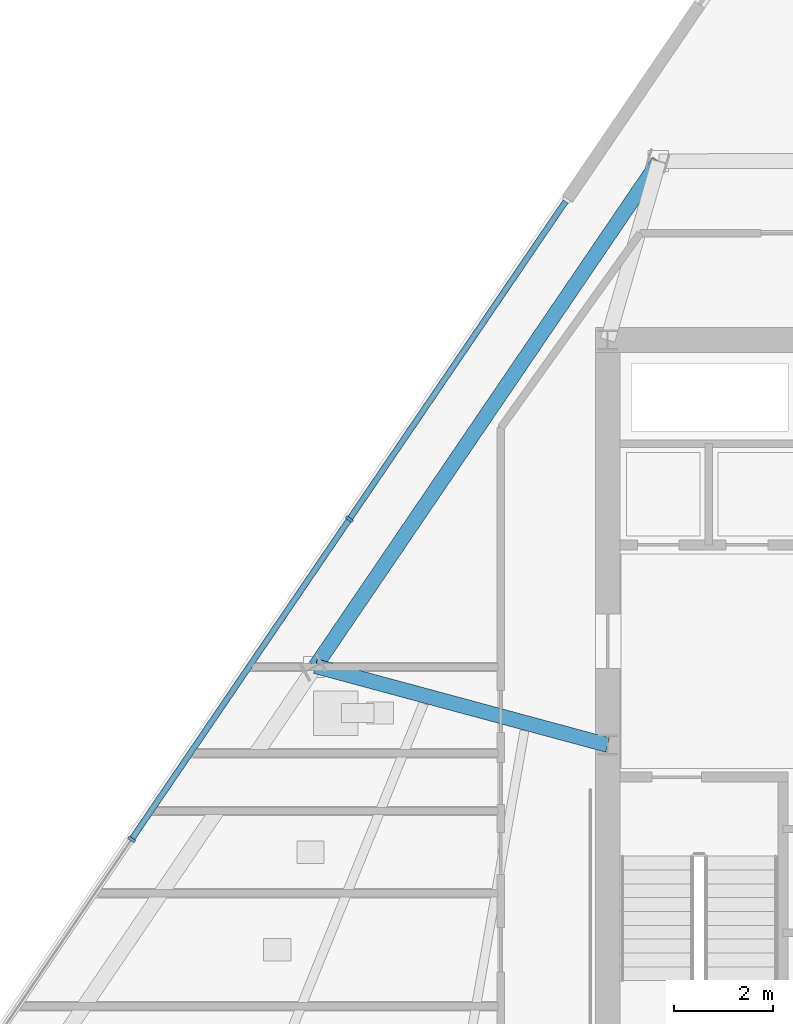
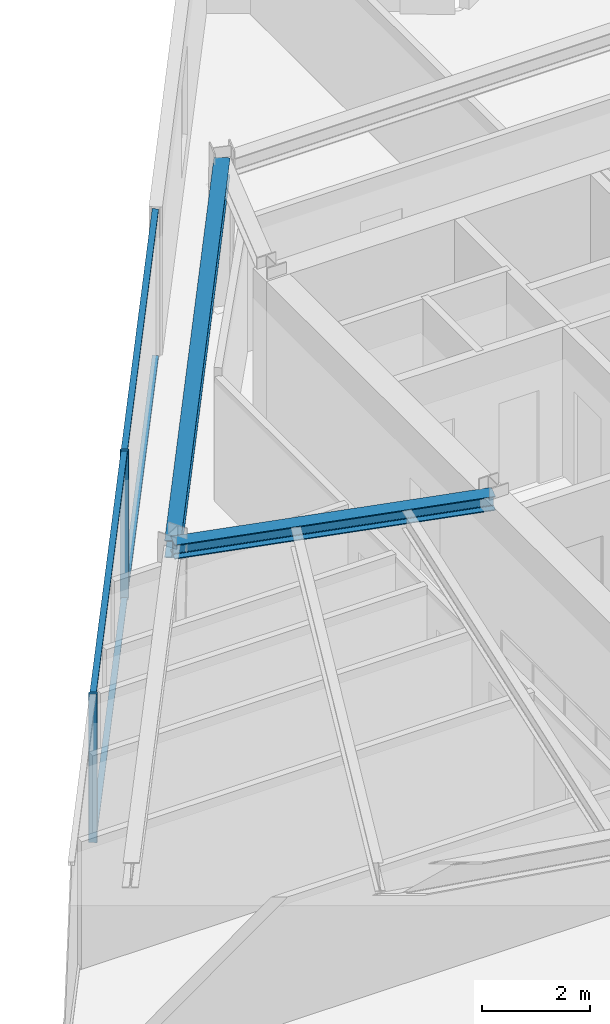
# One storey, part 4 of 14: 6 members, 2 beams, 1 element without a shape of its own.
"""IFC4 building model written with IfcOpenShell, lengths in metres."""

from ifc_helpers import new_model, si_unit, direction, frame, origin, origin_2d, place, context, subcontext, project, spatial, rectangle, i_section, extrude, material, material_profile, profile_set, type_object, element, aggregate, save


model = new_model("IFC4")

# Units and contexts
model_context = context("Model", 3, precision=1e-05, world=origin(), true_north=direction((0.0, 1.0)))
body_context = subcontext(model_context, "Body", "Model", "MODEL_VIEW")
ifc_project = project(units=[si_unit("LENGTHUNIT", "METRE"), si_unit("AREAUNIT", "SQUARE_METRE"), si_unit("VOLUMEUNIT", "CUBIC_METRE"), si_unit("PLANEANGLEUNIT", "RADIAN"), si_unit("MASSUNIT", "GRAM", prefix="KILO")], contexts=[model_context])

# Site, building, storey
site_placement = place(None, origin())
site = spatial("IfcSite", under=ifc_project, at=site_placement, CompositionType="ELEMENT")
building_placement = place(site_placement, origin())
building = spatial("IfcBuilding", under=site, at=building_placement, Name="Savorim Split Tower", CompositionType="ELEMENT")
storey_placement = place(building_placement, frame((0.0, 0.0, 178.199951171875)))
storey = spatial("IfcBuildingStorey", under=building, at=storey_placement, Name="L47", CompositionType="ELEMENT", Elevation=178.199951171875)

# Beams
ifc_material_1 = material(Name="Steel S355", Category="steel")
ifc_material_profile_1 = material_profile(ifc_material_1, i_section(OverallWidth=0.300048828125, OverallDepth=0.320068359375, WebThickness=0.011474609375, FlangeThickness=0.0205078125, FilletRadius=0.027099609375, at=origin_2d()), Name="HEB 320")
ifc_profile_set_1 = profile_set([ifc_material_profile_1], Name="Steel S355")
beam_type_1 = type_object("IfcBeamType", Name="BM-PRI-HEB320", PredefinedType="BEAM", material=ifc_profile_set_1)
beam_1_placement = place(storey_placement, frame((-13.613525390625, 3.5966796875, 3.18994140625), z_axis=(0.965428480737, -0.260668081249, 0.0), x_axis=(0.260668081249, 0.965428480737, 0.0)))
element("IfcBeam", 1, at=beam_1_placement, inside=storey, type_object=beam_type_1, Name="L47 Primary Floor Girder RG-09", PredefinedType="BEAM", context=body_context, shape_type="SweptSolid", body=[
    extrude(i_section(OverallWidth=0.300048828125, OverallDepth=0.320068359375, WebThickness=0.011474609375, FlangeThickness=0.0205078125, FilletRadius=0.027099609375, at=origin_2d()), origin(), (0.0, 0.0, 1.0), 6.125244140625),
])
ifc_material_profile_2 = material_profile(ifc_material_1, i_section(OverallWidth=0.300048828125, OverallDepth=0.389892578125, WebThickness=0.010986328125, FlangeThickness=0.01904296875, FilletRadius=0.027099609375, at=origin_2d()), Name="HEA 400")
ifc_profile_set_2 = profile_set([ifc_material_profile_2], Name="Steel S355")
beam_type_2 = type_object("IfcBeamType", Name="BM-SPN-HEA400", PredefinedType="SPANDREL", material=ifc_profile_set_2)
beam_2_placement = place(storey_placement, frame((-6.660888671875, 13.81689453125, 3.155029296875), z_axis=(-0.562469920789, -0.826817747879, 0.0), x_axis=(0.826817747879, -0.562469920789, 0.0)))
element("IfcBeam", 2, at=beam_2_placement, inside=storey, type_object=beam_type_2, Name="L47 Perimeter Spandrel Beam 8", PredefinedType="SPANDREL", context=body_context, shape_type="SweptSolid", body=[
    extrude(i_section(OverallWidth=0.300048828125, OverallDepth=0.389892578125, WebThickness=0.010986328125, FlangeThickness=0.01904296875, FilletRadius=0.027099609375, at=origin_2d()), origin(), (0.0, 0.0, 1.0), 12.36083984375),
])

# Curtain wall, members
ifc_material_2 = material(Name="Dark Ceramic-Fritted Insulated Glass", Category="glass")
curtain_wall_type = type_object("IfcCurtainWallType", Name="CW-TWR-FRIT-B", PredefinedType="NOTDEFINED", material=ifc_material_2)
curtain_wall_placement = place(storey_placement, origin())
curtain_wall = element("IfcCurtainWall", 3, at=curtain_wall_placement, inside=storey, type_object=curtain_wall_type, Name="L47 Curtain Wall CW-L47-WEST", PredefinedType="NOTDEFINED")
ifc_material_3 = material(Name="Charcoal Anodised Aluminium", Category="aluminium")
ifc_material_profile_3 = material_profile(ifc_material_3, rectangle(XDim=0.159912109375, YDim=0.06005859375, at=origin_2d()), Name="ALU-M 160x60")
ifc_profile_set_3 = profile_set([ifc_material_profile_3], Name="Charcoal Anodised Aluminium")
member_type_1 = type_object("IfcMemberType", Name="CWM-160x60", PredefinedType="MULLION", material=ifc_profile_set_3)
member_1_placement = place(storey_placement, frame((-12.926513671875, 6.571533203125, 0.0), z_axis=(0.0, 0.0, 1.0), x_axis=(0.826819248854, -0.562467714384, 0.0)))
member_1 = element("IfcMember", 4, at=member_1_placement, type_object=member_type_1, Name="CW-03 mullion 2", PredefinedType="MULLION", context=body_context, shape_type="SweptSolid", body=[
    extrude(rectangle(XDim=0.159912109375, YDim=0.06005859375, at=origin_2d()), origin(), (0.0, 0.0, 1.0), 3.35009765625),
])
member_2_placement = place(storey_placement, frame((-17.336181640625, 0.089599609375, 0.0), z_axis=(0.0, 0.0, 1.0), x_axis=(0.826819248854, -0.562467714384, 0.0)))
member_2 = element("IfcMember", 5, at=member_2_placement, type_object=member_type_1, Name="CW-03 mullion 3", PredefinedType="MULLION", context=body_context, shape_type="SweptSolid", body=[
    extrude(rectangle(XDim=0.159912109375, YDim=0.06005859375, at=origin_2d()), origin(), (0.0, 0.0, 1.0), 3.35009765625),
])
ifc_material_profile_4 = material_profile(ifc_material_3, rectangle(XDim=0.1201171875, YDim=0.050048828125, at=origin_2d()), Name="ALU-T 120x50")
ifc_profile_set_4 = profile_set([ifc_material_profile_4], Name="Charcoal Anodised Aluminium")
member_type_2 = type_object("IfcMemberType", Name="CWT-120x50", PredefinedType="USERDEFINED", material=ifc_profile_set_4)
member_3_placement = place(storey_placement, frame((-8.55078125, 13.00390625, 0.025146484375), z_axis=(-0.56245477499, -0.826828051103, 0.0), x_axis=(0.826828051103, -0.56245477499, 0.0)))
member_3 = element("IfcMember", 6, at=member_3_placement, type_object=member_type_2, Name="CW-03 transom 1.1", ObjectType="TRANSOM", PredefinedType="USERDEFINED", context=body_context, shape_type="SweptSolid", body=[
    extrude(rectangle(XDim=0.1201171875, YDim=0.050048828125, at=origin_2d()), origin(), (0.0, 0.0, 1.0), 7.749755859375),
])
member_4_placement = place(storey_placement, frame((-8.55078125, 13.00390625, 3.324951171875), z_axis=(-0.56245477499, -0.826828051103, 0.0), x_axis=(0.826828051103, -0.56245477499, 0.0)))
member_4 = element("IfcMember", 7, at=member_4_placement, type_object=member_type_2, Name="CW-03 transom 1.2", ObjectType="TRANSOM", PredefinedType="USERDEFINED", context=body_context, shape_type="SweptSolid", body=[
    extrude(rectangle(XDim=0.1201171875, YDim=0.050048828125, at=origin_2d()), origin(), (0.0, 0.0, 1.0), 7.749755859375),
])
member_5_placement = place(storey_placement, frame((-12.943359375, 6.546630859375, 0.025146484375), z_axis=(-0.562497133678, -0.826799234763, 0.0), x_axis=(0.826799234763, -0.562497133678, 0.0)))
member_5 = element("IfcMember", 8, at=member_5_placement, type_object=member_type_2, Name="CW-03 transom 2.1", ObjectType="TRANSOM", PredefinedType="USERDEFINED", context=body_context, shape_type="SweptSolid", body=[
    extrude(rectangle(XDim=0.1201171875, YDim=0.050048828125, at=origin_2d()), origin(), (0.0, 0.0, 1.0), 7.779541015625),
])
member_6_placement = place(storey_placement, frame((-12.943359375, 6.546630859375, 3.324951171875), z_axis=(-0.562497133678, -0.826799234763, 0.0), x_axis=(0.826799234763, -0.562497133678, 0.0)))
member_6 = element("IfcMember", 9, at=member_6_placement, type_object=member_type_2, Name="CW-03 transom 2.2", ObjectType="TRANSOM", PredefinedType="USERDEFINED", context=body_context, shape_type="SweptSolid", body=[
    extrude(rectangle(XDim=0.1201171875, YDim=0.050048828125, at=origin_2d()), origin(), (0.0, 0.0, 1.0), 7.779541015625),
])
aggregate(curtain_wall, [member_1, member_2, member_3, member_4, member_5, member_6])

save(model, "model.ifc")
